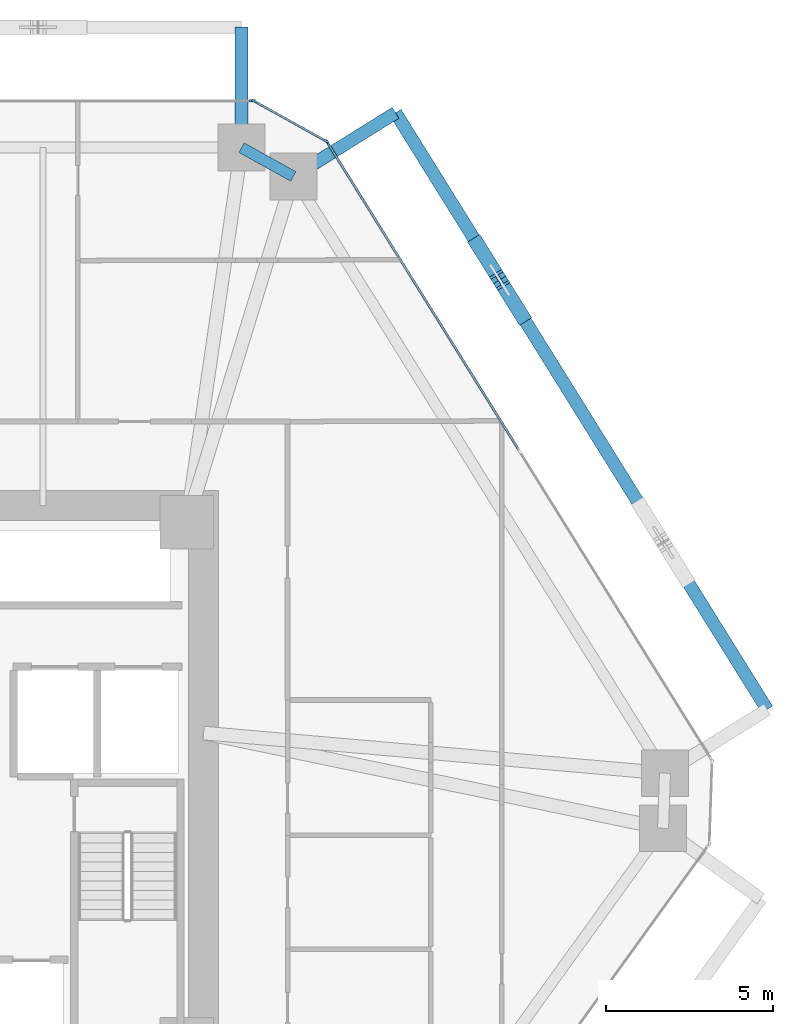
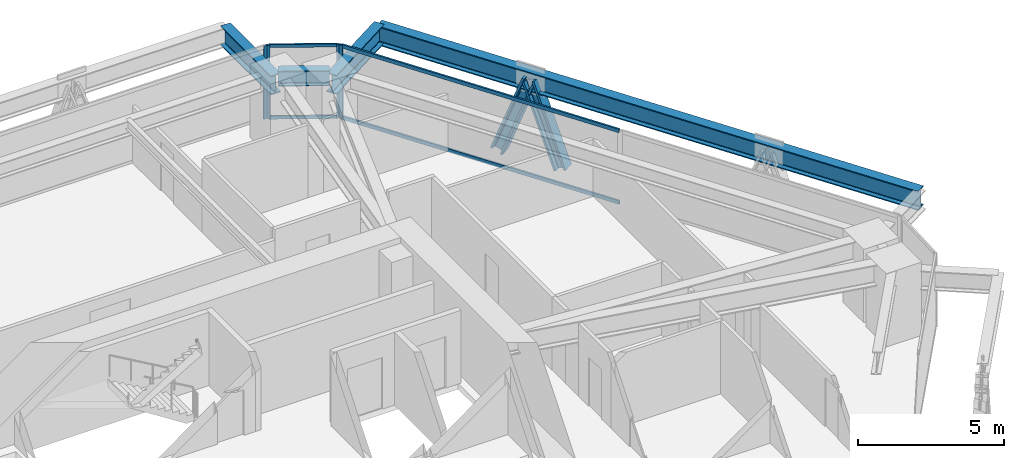
# One storey, part 9 of 17: 10 members, 4 beams, 3 elements without a shape of their own.
"""IFC4 building model written with IfcOpenShell, lengths in metres."""

from ifc_helpers import new_model, si_unit, direction, frame, origin, origin_2d, place, context, subcontext, project, spatial, rectangle, i_section, extrude, source, transform, mapped, material, layer, layer_set, material_profile, profile_set, type_object, type_shapes, element, aggregate, save


model = new_model("IFC4")

# Units and contexts
model_context = context("Model", 3, precision=1e-05, world=origin(), true_north=direction((0.0, 1.0)))
body_context = subcontext(model_context, "Body", "Model", "MODEL_VIEW")
ifc_project = project(units=[si_unit("LENGTHUNIT", "METRE"), si_unit("AREAUNIT", "SQUARE_METRE"), si_unit("VOLUMEUNIT", "CUBIC_METRE"), si_unit("PLANEANGLEUNIT", "RADIAN"), si_unit("MASSUNIT", "GRAM", prefix="KILO")], contexts=[model_context])

# Site, building, storey
site_placement = place(None, origin())
site = spatial("IfcSite", under=ifc_project, at=site_placement, CompositionType="ELEMENT")
building_placement = place(site_placement, origin())
building = spatial("IfcBuilding", under=site, at=building_placement, Name="Durnholm Broadcast Tower", CompositionType="ELEMENT")
storey_placement = place(building_placement, frame((0.0, 0.0, 58.800048828125)))
storey = spatial("IfcBuildingStorey", under=building, at=storey_placement, Name="L14", CompositionType="ELEMENT", Elevation=58.800048828125)

# Beams
ifc_material_1 = material(Name="Steel ASTM A992 Grade 50", Category="steel")
ifc_material_profile_1 = material_profile(ifc_material_1, i_section(OverallWidth=0.3291015625, OverallDepth=0.635009765625, WebThickness=0.017822265625, FlangeThickness=0.031005859375, FilletRadius=0.02783203125, at=origin_2d()), Name="W24X162")
ifc_profile_set_1 = profile_set([ifc_material_profile_1], Name="Steel ASTM A992 Grade 50")
beam_type_1 = type_object("IfcBeamType", Name="STL-SP-W24X162", PredefinedType="SPANDREL", material=ifc_profile_set_1)
shared_shape_1 = source(origin(), body_context, "Body", "SweptSolid", [
    extrude(i_section(OverallWidth=0.3291015625, OverallDepth=0.635009765625, WebThickness=0.017822265625, FlangeThickness=0.031005859375, FilletRadius=0.02783203125, at=origin_2d()), origin(), (0.0, 0.0, 1.0), 1.774658203125),
])
type_shapes(beam_type_1, [shared_shape_1])
beam_1_placement = place(storey_placement, frame((11.43115234375, 19.0, 2.7275390625), z_axis=(0.874248107979, -0.485479397806, 0.0), x_axis=(0.485479397806, 0.874248107979, 0.0)))
element("IfcBeam", 1, at=beam_1_placement, inside=storey, type_object=beam_type_1, Name="L14 perimeter spandrel girder 06", PredefinedType="SPANDREL", context=body_context, shape_type="MappedRepresentation", body=[
    mapped(shared_shape_1, transform((0.0, 0.0, 0.0), x_axis=(1.0, 0.0, 0.0), y_axis=(0.0, 1.0, 0.0), z_axis=(0.0, 0.0, 1.0), scale=1.0)),
])
ifc_material_profile_2 = material_profile(ifc_material_1, i_section(OverallWidth=0.385009765625, OverallDepth=0.802978515625, WebThickness=0.023681640625, FlangeThickness=0.0419921875, FilletRadius=0.032958984375, at=origin_2d()), Name="W30X261")
ifc_profile_set_2 = profile_set([ifc_material_profile_2], Name="Steel ASTM A992 Grade 50")
beam_type_2 = type_object("IfcBeamType", Name="BM-EXO-TIE", PredefinedType="USERDEFINED", material=ifc_profile_set_2)
shared_shape_2 = source(origin(), body_context, "Body", "SweptSolid", [
    extrude(i_section(OverallWidth=0.385009765625, OverallDepth=0.802978515625, WebThickness=0.023681640625, FlangeThickness=0.0419921875, FilletRadius=0.032958984375, at=origin_2d()), origin(), (0.0, 0.0, 1.0), 3.4560546875),
])
for number, where, z_axis, x_axis, name in (
    (2, (13.10498046875, 18.214599609375, 2.30859375), (0.848854443891, 0.528626648105, 0.0), (-0.528626648105, 0.848854443891, 0.0), "L14 exoskeleton stand-off tie bracket F3.2"),
    (3, (11.43115234375, 19.14404296875, 2.30859375), (0.0, 1.0, 0.0), (-1.0, 0.0, 0.0), "L14 exoskeleton stand-off tie bracket F4.1"),
):
    element("IfcBeam", number, at=place(storey_placement, frame(where, z_axis=z_axis, x_axis=x_axis)), inside=storey, type_object=beam_type_2, Name=name, ObjectType="GIRDER", PredefinedType="USERDEFINED", context=body_context, shape_type="MappedRepresentation", body=[
        mapped(shared_shape_2, transform((0.0, 0.0, 0.0), x_axis=(1.0, 0.0, 0.0), y_axis=(0.0, 1.0, 0.0), z_axis=(0.0, 0.0, 1.0), scale=1.0)),
    ])
shared_shape_3 = source(origin(), body_context, "Body", "SweptSolid", [
    extrude(i_section(OverallWidth=0.385009765625, OverallDepth=0.802978515625, WebThickness=0.023681640625, FlangeThickness=0.0419921875, FilletRadius=0.032958984375, at=origin_2d()), origin(), (0.0, 0.0, 1.0), 21.0146484375),
])
type_shapes(beam_type_2, [shared_shape_2, shared_shape_3])
beam_2_placement = place(storey_placement, frame((27.146728515625, 2.20263671875, 2.30859375), z_axis=(-0.528590518575, 0.848876942597, 0.0), x_axis=(-0.848876942597, -0.528590518575, 0.0)))
element("IfcBeam", 4, at=beam_2_placement, inside=storey, type_object=beam_type_2, Name="L14 exoskeleton collector spandrel F3", PredefinedType="SPANDREL", context=body_context, shape_type="MappedRepresentation", body=[
    mapped(shared_shape_3, transform((0.0, 0.0, 0.0), x_axis=(1.0, 0.0, 0.0), y_axis=(0.0, 1.0, 0.0), z_axis=(0.0, 0.0, 1.0), scale=1.0)),
])

# Members
ifc_material_2 = material(Name="Steel ASTM A913 Grade 65", Category="steel")
ifc_material_profile_3 = material_profile(ifc_material_2, i_section(OverallWidth=0.43212890625, OverallDepth=0.497802734375, WebThickness=0.0556640625, FlangeThickness=0.0888671875, FilletRadius=0.030517578125, at=origin_2d()), Name="W14X500")
ifc_profile_set_3 = profile_set([ifc_material_profile_3], Name="Steel ASTM A913 Grade 65")
member_type_1 = type_object("IfcMemberType", Name="STL-DG-W14X500", PredefinedType="BRACE", material=ifc_profile_set_3)
shared_shape_4 = source(origin(), body_context, "Body", "SweptSolid", [
    extrude(i_section(OverallWidth=0.43212890625, OverallDepth=0.497802734375, WebThickness=0.0556640625, FlangeThickness=0.0888671875, FilletRadius=0.030517578125, at=origin_2d()), origin(), (0.0, 0.0, 1.0), 3.523193359375),
])
type_shapes(member_type_1, [shared_shape_4])
for number, where, z_axis, x_axis, name in (
    (5, (19.801025390625, 13.9990234375, -0.991455078125), (-0.185090383068, 0.297281072018, 0.936677913861), (-0.848908635391, -0.528539618911, 0.0), "L14 stand-off diagrid brace F3.D2.1"),
    (6, (18.496826171875, 16.09375, -0.991455078125), (0.185090383068, -0.297281072018, 0.936677913861), (0.848908635391, 0.528539618911, 0.0), "L14 stand-off diagrid brace F3.D2.2"),
):
    element("IfcMember", number, at=place(storey_placement, frame(where, z_axis=z_axis, x_axis=x_axis)), inside=storey, type_object=member_type_1, Name=name, PredefinedType="BRACE", context=body_context, shape_type="MappedRepresentation", body=[
        mapped(shared_shape_4, transform((0.0, 0.0, 0.0), x_axis=(1.0, 0.0, 0.0), y_axis=(0.0, 1.0, 0.0), z_axis=(0.0, 0.0, 1.0), scale=1.0)),
    ])

# Curtain wall, members
ifc_material_3 = material(Name="Aluminium and Solar Control IGU", Category="aluminium")
ifc_layer_1 = layer(ifc_material_3, 0.1650390625)
ifc_layer_set_1 = layer_set([ifc_layer_1], Name="Aluminium and Solar Control IGU")
curtain_wall_type_1 = type_object("IfcCurtainWallType", Name="CW-SYS-5", PredefinedType="NOTDEFINED", material=ifc_layer_set_1)
curtain_wall_1_placement = place(storey_placement, origin())
curtain_wall_1 = element("IfcCurtainWall", 7, at=curtain_wall_1_placement, inside=storey, type_object=curtain_wall_type_1, Name="L14 curtain wall CW-CORNER CW-L14-CRN-05", PredefinedType="NOTDEFINED")
ifc_material_4 = material(Name="Aluminium 6063-T6", Category="aluminium")
ifc_material_profile_4 = material_profile(ifc_material_4, rectangle(XDim=0.06494140625, YDim=0.1650390625, at=origin_2d()), Name="CWM65X165")
ifc_profile_set_4 = profile_set([ifc_material_profile_4], Name="Aluminium 6063-T6")
member_type_2 = type_object("IfcMemberType", Name="CW-SYS-5-MUL", PredefinedType="MULLION", material=ifc_profile_set_4)
shared_shape_5 = source(origin(), body_context, "Body", "SweptSolid", [
    extrude(rectangle(XDim=0.06494140625, YDim=0.1650390625, at=origin_2d()), origin(), (0.0, 0.0, 1.0), 3.06005859375),
])
type_shapes(member_type_2, [shared_shape_5])
member_1_placement = place(storey_placement, frame((11.822265625, 20.38427734375, 0.0), z_axis=(0.0, 0.0, 1.0), x_axis=(0.485483299359, 0.874245941394, 0.0)))
member_1 = element("IfcMember", 8, at=member_1_placement, type_object=member_type_2, Name="CW-CORNER mullion 1", PredefinedType="MULLION", context=body_context, shape_type="MappedRepresentation", body=[
    mapped(shared_shape_5, transform((0.0, 0.0, 0.0), x_axis=(1.0, 0.0, 0.0), y_axis=(0.0, 1.0, 0.0), z_axis=(0.0, 0.0, 1.0), scale=1.0)),
])
member_2_placement = place(storey_placement, frame((13.950927734375, 19.2021484375, 0.0), z_axis=(0.0, 0.0, 1.0), x_axis=(0.485483299359, 0.874245941394, 0.0)))
member_2 = element("IfcMember", 9, at=member_2_placement, type_object=member_type_2, Name="CW-CORNER mullion 2", PredefinedType="MULLION", context=body_context, shape_type="MappedRepresentation", body=[
    mapped(shared_shape_5, transform((0.0, 0.0, 0.0), x_axis=(1.0, 0.0, 0.0), y_axis=(0.0, 1.0, 0.0), z_axis=(0.0, 0.0, 1.0), scale=1.0)),
])
ifc_material_profile_5 = material_profile(ifc_material_4, rectangle(XDim=0.06494140625, YDim=0.1298828125, at=origin_2d()), Name="CWT65X130")
ifc_profile_set_5 = profile_set([ifc_material_profile_5], Name="Aluminium 6063-T6")
member_type_3 = type_object("IfcMemberType", Name="CW-SYS-5-TRN", PredefinedType="USERDEFINED", material=ifc_profile_set_5)
shared_shape_6 = source(origin(), body_context, "Body", "SweptSolid", [
    extrude(rectangle(XDim=0.06494140625, YDim=0.1298828125, at=origin_2d()), origin(), (0.0, 0.0, 1.0), 2.3701171875),
])
type_shapes(member_type_3, [shared_shape_6])
member_3_placement = place(storey_placement, frame((11.8505859375, 20.368408203125, 0.032470703125), z_axis=(0.874244723151, -0.485485493132, 0.0), x_axis=(0.485485493132, 0.874244723151, 0.0)))
member_3 = element("IfcMember", 10, at=member_3_placement, type_object=member_type_3, Name="CW-CORNER transom 1.1", ObjectType="TRANSOM", PredefinedType="USERDEFINED", context=body_context, shape_type="MappedRepresentation", body=[
    mapped(shared_shape_6, transform((0.0, 0.0, 0.0), x_axis=(1.0, 0.0, 0.0), y_axis=(0.0, 1.0, 0.0), z_axis=(0.0, 0.0, 1.0), scale=1.0)),
])
member_4_placement = place(storey_placement, frame((11.8505859375, 20.368408203125, 3.02734375), z_axis=(0.874244723151, -0.485485493132, 0.0), x_axis=(0.485485493132, 0.874244723151, 0.0)))
member_4 = element("IfcMember", 11, at=member_4_placement, type_object=member_type_3, Name="CW-CORNER transom 1.2", ObjectType="TRANSOM", PredefinedType="USERDEFINED", context=body_context, shape_type="MappedRepresentation", body=[
    mapped(shared_shape_6, transform((0.0, 0.0, 0.0), x_axis=(1.0, 0.0, 0.0), y_axis=(0.0, 1.0, 0.0), z_axis=(0.0, 0.0, 1.0), scale=1.0)),
])
aggregate(curtain_wall_1, [member_1, member_2, member_3, member_4])

# Curtain wall, member
ifc_layer_2 = layer(ifc_material_3, 0.18994140625)
ifc_layer_set_2 = layer_set([ifc_layer_2], Name="Aluminium and Solar Control IGU")
curtain_wall_type_2 = type_object("IfcCurtainWallType", Name="CW-SYS-3", PredefinedType="NOTDEFINED", material=ifc_layer_set_2)
curtain_wall_2_placement = place(storey_placement, origin())
curtain_wall_2 = element("IfcCurtainWall", 12, at=curtain_wall_2_placement, inside=storey, type_object=curtain_wall_type_2, Name="L14 curtain wall CW-Z12-VIS CW-L14-F04", PredefinedType="NOTDEFINED")
ifc_material_profile_6 = material_profile(ifc_material_4, rectangle(XDim=0.070068359375, YDim=0.18994140625, at=origin_2d()), Name="CWM70X190")
ifc_profile_set_6 = profile_set([ifc_material_profile_6], Name="Aluminium 6063-T6")
member_type_4 = type_object("IfcMemberType", Name="CW-SYS-3-MUL", PredefinedType="MULLION", material=ifc_profile_set_6)
shared_shape_7 = source(origin(), body_context, "Body", "SweptSolid", [
    extrude(rectangle(XDim=0.070068359375, YDim=0.18994140625, at=origin_2d()), origin(), (0.0, 0.0, 1.0), 3.06005859375),
])
type_shapes(member_type_4, [shared_shape_7])
member_5_placement = place(storey_placement, frame((11.7587890625, 20.39990234375, 0.0), z_axis=(0.0, 0.0, 1.0), x_axis=(0.0, 1.0, 0.0)))
member_5 = element("IfcMember", 13, at=member_5_placement, type_object=member_type_4, Name="CW-Z12-VIS mullion 3", PredefinedType="MULLION", context=body_context, shape_type="MappedRepresentation", body=[
    mapped(shared_shape_7, transform((0.0, 0.0, 0.0), x_axis=(1.0, 0.0, 0.0), y_axis=(0.0, 1.0, 0.0), z_axis=(0.0, 0.0, 1.0), scale=1.0)),
])
aggregate(curtain_wall_2, [member_5])

# Curtain wall, members
curtain_wall_3_placement = place(storey_placement, origin())
curtain_wall_3 = element("IfcCurtainWall", 14, at=curtain_wall_3_placement, inside=storey, type_object=curtain_wall_type_2, Name="L14 curtain wall CW-Z12-VIS CW-L14-F06", PredefinedType="NOTDEFINED")
member_6_placement = place(storey_placement, frame((13.997802734375, 19.156494140625, 0.0), z_axis=(0.0, 0.0, 1.0), x_axis=(0.848875785503, 0.528592376777, 0.0)))
member_6 = element("IfcMember", 15, at=member_6_placement, type_object=member_type_4, Name="CW-Z12-VIS mullion 1", PredefinedType="MULLION", context=body_context, shape_type="MappedRepresentation", body=[
    mapped(shared_shape_7, transform((0.0, 0.0, 0.0), x_axis=(1.0, 0.0, 0.0), y_axis=(0.0, 1.0, 0.0), z_axis=(0.0, 0.0, 1.0), scale=1.0)),
])
ifc_material_profile_7 = material_profile(ifc_material_4, rectangle(XDim=0.070068359375, YDim=0.14990234375, at=origin_2d()), Name="CWT70X150")
ifc_profile_set_7 = profile_set([ifc_material_profile_7], Name="Aluminium 6063-T6")
member_type_5 = type_object("IfcMemberType", Name="CW-SYS-3-TRN", PredefinedType="USERDEFINED", material=ifc_profile_set_7)
shared_shape_8 = source(origin(), body_context, "Body", "SweptSolid", [
    extrude(rectangle(XDim=0.070068359375, YDim=0.14990234375, at=origin_2d()), origin(), (0.0, 0.0, 1.0), 10.796630859375),
])
type_shapes(member_type_5, [shared_shape_8])
member_7_placement = place(storey_placement, frame((14.016357421875, 19.126953125, 0.034912109375), z_axis=(0.528591657678, -0.848876233283, 0.0), x_axis=(0.848876233283, 0.528591657678, 0.0)))
member_7 = element("IfcMember", 16, at=member_7_placement, type_object=member_type_5, Name="CW-Z12-VIS transom 1.1", ObjectType="TRANSOM", PredefinedType="USERDEFINED", context=body_context, shape_type="MappedRepresentation", body=[
    mapped(shared_shape_8, transform((0.0, 0.0, 0.0), x_axis=(1.0, 0.0, 0.0), y_axis=(0.0, 1.0, 0.0), z_axis=(0.0, 0.0, 1.0), scale=1.0)),
])
member_8_placement = place(storey_placement, frame((14.016357421875, 19.126953125, 3.02490234375), z_axis=(0.528591657678, -0.848876233283, 0.0), x_axis=(0.848876233283, 0.528591657678, 0.0)))
member_8 = element("IfcMember", 17, at=member_8_placement, type_object=member_type_5, Name="CW-Z12-VIS transom 1.2", ObjectType="TRANSOM", PredefinedType="USERDEFINED", context=body_context, shape_type="MappedRepresentation", body=[
    mapped(shared_shape_8, transform((0.0, 0.0, 0.0), x_axis=(1.0, 0.0, 0.0), y_axis=(0.0, 1.0, 0.0), z_axis=(0.0, 0.0, 1.0), scale=1.0)),
])
aggregate(curtain_wall_3, [member_6, member_7, member_8])

save(model, "model.ifc")
